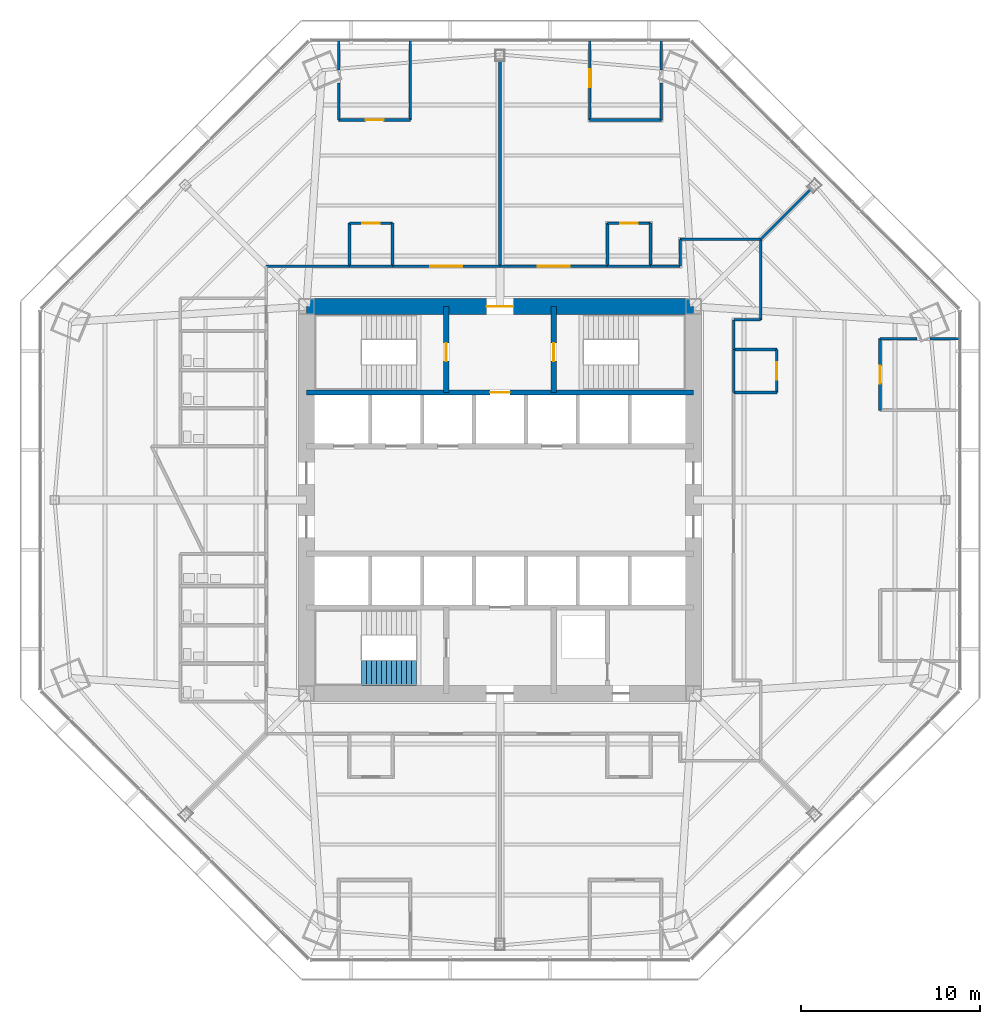
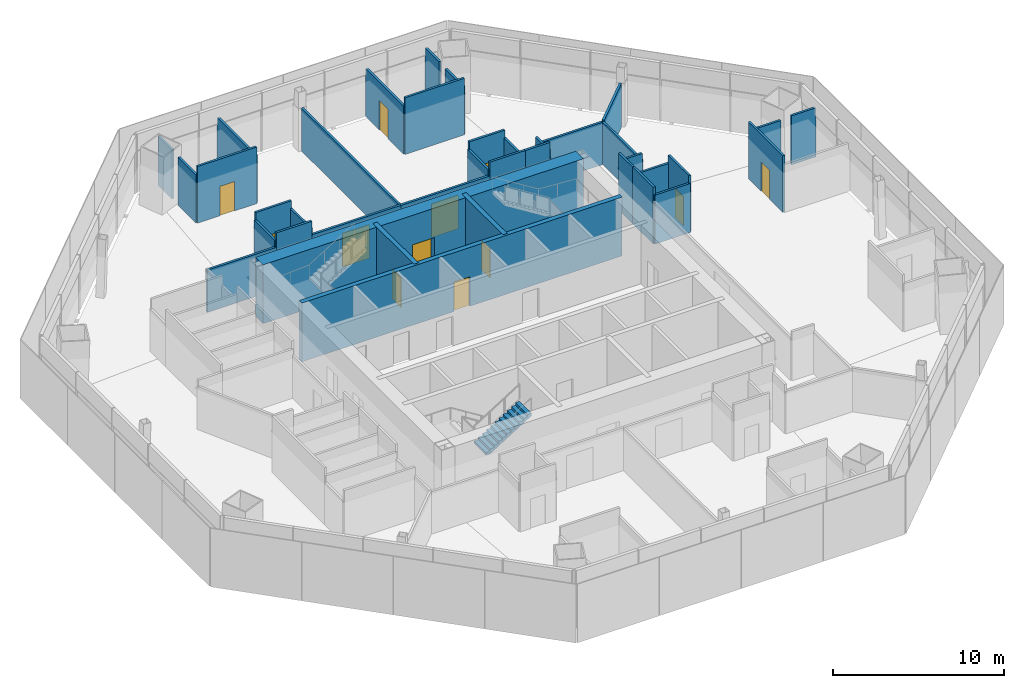
# One storey, part 13 of 18: 38 walls, 12 doors, 1 stair flight, 12 openings, 1 element without a shape of its own.
"""IFC4 building model written with IfcOpenShell, lengths in metres."""

from ifc_helpers import new_model, si_unit, direction, frame, frame_2d, origin, place, context, subcontext, project, spatial, polyline, rectangle, outline, extrude, material, layer, layer_set, type_object, element, fill, aggregate, save


model = new_model("IFC4")

# Units and contexts
model_context = context("Model", 3, precision=1e-05, world=origin(), true_north=direction((0.0, 1.0)))
body_context = subcontext(model_context, "Body", "Model", "MODEL_VIEW")
ifc_project = project(units=[si_unit("LENGTHUNIT", "METRE"), si_unit("AREAUNIT", "SQUARE_METRE"), si_unit("VOLUMEUNIT", "CUBIC_METRE"), si_unit("PLANEANGLEUNIT", "RADIAN"), si_unit("MASSUNIT", "GRAM", prefix="KILO")], contexts=[model_context])

# Site, building, storey
site_placement = place(None, origin())
site = spatial("IfcSite", under=ifc_project, at=site_placement, CompositionType="ELEMENT")
building_placement = place(site_placement, origin())
building = spatial("IfcBuilding", under=site, at=building_placement, Name="Mashrafa Tower", CompositionType="ELEMENT")
storey_placement = place(building_placement, frame((0.0, 0.0, 83.39990234375)))
storey = spatial("IfcBuildingStorey", under=building, at=storey_placement, Name="L18", CompositionType="ELEMENT", Elevation=83.39990234375)

# Wall, opening, door
ifc_material_1 = material(Name="Concrete C60/75", Category="concrete")
ifc_layer_1 = layer(ifc_material_1, 0.300048828125)
ifc_layer_set_1 = layer_set([ifc_layer_1], Name="Core wall 300 C60/75")
wall_type_1 = type_object("IfcWallType", Name="Core wall 300 C60/75", PredefinedType="SOLIDWALL", material=ifc_layer_set_1)
wall_1_placement = place(storey_placement, frame((-10.800048828125, 6.0, 0.0), z_axis=(0.0, 0.0, 1.0), x_axis=(1.0, 0.0, 0.0)))
wall_1 = element("IfcWall", 1, at=wall_1_placement, inside=storey, type_object=wall_type_1, Name="Core wall CB-N L18", PredefinedType="SOLIDWALL", context=body_context, shape_type="SweptSolid", body=[
    extrude(rectangle(XDim=21.60009765625, YDim=0.300048828125, at=frame_2d((10.800048828125, 0.0))), origin(), (0.0, 0.0, 1.0), 4.2001953125),
])
opening_1_placement = place(wall_1_placement, frame((10.25, 0.0, 0.0)))
opening_1 = element("IfcOpeningElement", 2, at=opening_1_placement, cuts=wall_1, Name="Opening 18.F1", PredefinedType="OPENING", context=body_context, shape_type="SweptSolid", body=[
    extrude(rectangle(XDim=1.10009765625, YDim=2.10009765625, at=frame_2d((0.550048828125, 1.050048828125))), frame((0.0, 0.159912109375, 0.0), z_axis=(0.0, -1.0, 0.0), x_axis=(1.0, 0.0, 0.0)), (0.0, 0.0, 1.0), 0.320068359375),
])
ifc_material_2 = material(Name="Steel door", Category="steel")
door_type_1 = type_object("IfcDoorType", Name="Lift landing door 1100 x 2100 90 min", OperationType="DOUBLE_DOOR_SLIDING", PredefinedType="DOOR", material=ifc_material_2)
door_1_placement = place(opening_1_placement, origin())
door_1 = element("IfcDoor", 3, at=door_1_placement, inside=storey, type_object=door_type_1, Name="Lift landing door F1 L18", OperationType="DOUBLE_DOOR_SLIDING", OverallHeight=2.10009765625, OverallWidth=1.10009765625, PredefinedType="DOOR", context=body_context, shape_type="SweptSolid", body=[
    extrude(rectangle(XDim=1.10009765625, YDim=2.10009765625, at=frame_2d((0.550048828125, 1.050048828125))), frame((0.0, 0.02490234375, 0.0), z_axis=(0.0, -1.0, 0.0), x_axis=(1.0, 0.0, 0.0)), (0.0, 0.0, 1.0), 0.050048828125),
])
fill(opening_1, door_1)

wall_2_placement = place(storey_placement, frame((-3.0, 6.0, 0.0), z_axis=(0.0, 0.0, 1.0), x_axis=(0.0, 1.0, 0.0)))
wall_2 = element("IfcWall", 4, at=wall_2_placement, inside=storey, type_object=wall_type_1, Name="Core wall CX-NW L18", PredefinedType="SOLIDWALL", context=body_context, shape_type="SweptSolid", body=[
    extrude(rectangle(XDim=4.800048828125, YDim=0.300048828125, at=frame_2d((2.39990234375, 0.0))), origin(), (0.0, 0.0, 1.0), 4.2001953125),
])
opening_2_placement = place(wall_2_placement, frame((1.75, 0.0, 0.0)))
opening_2 = element("IfcOpeningElement", 5, at=opening_2_placement, cuts=wall_2, Name="Opening 18.032", PredefinedType="OPENING", context=body_context, shape_type="SweptSolid", body=[
    extrude(rectangle(XDim=1.0, YDim=2.10009765625, at=frame_2d((0.5, 1.050048828125))), frame((0.0, 0.159912109375, 0.0), z_axis=(0.0, -1.0, 0.0), x_axis=(1.0, 0.0, 0.0)), (0.0, 0.0, 1.0), 0.320068359375),
])
ifc_material_3 = material(Name="Steel door", Category="steel")
door_type_2 = type_object("IfcDoorType", Name="Stair door 1000 x 2100 90 min", OperationType="USERDEFINED", PredefinedType="DOOR", material=ifc_material_3)
door_2_placement = place(opening_2_placement, origin())
door_2 = element("IfcDoor", 6, at=door_2_placement, inside=storey, type_object=door_type_2, Name="Stair S1 door L18", OperationType="SINGLE_SWING_LEFT", OverallHeight=2.10009765625, OverallWidth=1.0, PredefinedType="DOOR", context=body_context, shape_type="SweptSolid", body=[
    extrude(rectangle(XDim=1.0, YDim=2.10009765625, at=frame_2d((0.5, 1.050048828125))), frame((0.0, 0.02490234375, 0.0), z_axis=(0.0, -1.0, 0.0), x_axis=(1.0, 0.0, 0.0)), (0.0, 0.0, 1.0), 0.050048828125),
])
fill(opening_2, door_2)

wall_3_placement = place(storey_placement, frame((3.0, 6.0, 0.0), z_axis=(0.0, 0.0, 1.0), x_axis=(0.0, 1.0, 0.0)))
wall_3 = element("IfcWall", 7, at=wall_3_placement, inside=storey, type_object=wall_type_1, Name="Core wall CX-NE L18", PredefinedType="SOLIDWALL", context=body_context, shape_type="SweptSolid", body=[
    extrude(rectangle(XDim=4.800048828125, YDim=0.300048828125, at=frame_2d((2.39990234375, 0.0))), origin(), (0.0, 0.0, 1.0), 4.2001953125),
])
opening_3_placement = place(wall_3_placement, frame((1.75, 0.0, 0.0)))
opening_3 = element("IfcOpeningElement", 8, at=opening_3_placement, cuts=wall_3, Name="Opening 18.033", PredefinedType="OPENING", context=body_context, shape_type="SweptSolid", body=[
    extrude(rectangle(XDim=1.0, YDim=2.10009765625, at=frame_2d((0.5, 1.050048828125))), frame((0.0, 0.159912109375, 0.0), z_axis=(0.0, -1.0, 0.0), x_axis=(1.0, 0.0, 0.0)), (0.0, 0.0, 1.0), 0.320068359375),
])
door_3_placement = place(opening_3_placement, frame((1.0, 0.0, 0.0), z_axis=(0.0, 0.0, 1.0), x_axis=(-1.0, 0.0, 0.0)))
door_3 = element("IfcDoor", 9, at=door_3_placement, inside=storey, type_object=door_type_2, Name="Stair S2 door L18", OperationType="SINGLE_SWING_RIGHT", OverallHeight=2.10009765625, OverallWidth=1.0, PredefinedType="DOOR", context=body_context, shape_type="SweptSolid", body=[
    extrude(rectangle(XDim=1.0, YDim=2.10009765625, at=frame_2d((0.5, 1.050048828125))), frame((0.0, 0.02490234375, 0.0), z_axis=(0.0, -1.0, 0.0), x_axis=(1.0, 0.0, 0.0)), (0.0, 0.0, 1.0), 0.050048828125),
])
fill(opening_3, door_3)

ifc_material_4 = material(Name="Concrete C60/75", Category="concrete")
ifc_layer_2 = layer(ifc_material_4, 0.89990234375)
ifc_layer_set_2 = layer_set([ifc_layer_2], Name="Core wall 900 C60/75")
wall_type_2 = type_object("IfcWallType", Name="Core wall 900 C60/75", PredefinedType="SOLIDWALL", material=ifc_layer_set_2)
wall_4_placement = place(storey_placement, frame((10.800048828125, 10.800048828125, 0.0), z_axis=(0.0, 0.0, 1.0), x_axis=(-1.0, 0.0, 0.0)))
wall_4 = element("IfcWall", 10, at=wall_4_placement, inside=storey, type_object=wall_type_2, Name="Core wall CW-N L18", PredefinedType="SOLIDWALL", context=body_context, shape_type="SweptSolid", body=[
    extrude(rectangle(XDim=21.60009765625, YDim=0.89990234375, at=frame_2d((10.800048828125, 0.0))), origin(), (0.0, 0.0, 1.0), 4.2001953125),
])
opening_4_placement = place(wall_4_placement, frame((10.050048828125, 0.0, 0.0)))
opening_4 = element("IfcOpeningElement", 11, at=opening_4_placement, cuts=wall_4, Name="Opening 18.030", PredefinedType="OPENING", context=body_context, shape_type="SweptSolid", body=[
    extrude(rectangle(XDim=1.5, YDim=2.10009765625, at=frame_2d((0.75, 1.050048828125))), frame((0.0, 0.4599609375, 0.0), z_axis=(0.0, -1.0, 0.0), x_axis=(1.0, 0.0, 0.0)), (0.0, 0.0, 1.0), 0.919921875),
])
ifc_material_5 = material(Name="Steel door", Category="steel")
door_type_3 = type_object("IfcDoorType", Name="Lobby door pair 1500 x 2100 90 min", OperationType="DOUBLE_DOOR_SINGLE_SWING", PredefinedType="DOOR", material=ifc_material_5)
door_4_placement = place(opening_4_placement, origin())
door_4 = element("IfcDoor", 12, at=door_4_placement, inside=storey, type_object=door_type_3, Name="Fire-fighting lobby F1 door L18", OperationType="DOUBLE_DOOR_SINGLE_SWING", OverallHeight=2.10009765625, OverallWidth=1.5, PredefinedType="DOOR", context=body_context, shape_type="SweptSolid", body=[
    extrude(rectangle(XDim=1.5, YDim=2.10009765625, at=frame_2d((0.75, 1.050048828125))), frame((0.0, 0.02490234375, 0.0), z_axis=(0.0, -1.0, 0.0), x_axis=(1.0, 0.0, 0.0)), (0.0, 0.0, 1.0), 0.050048828125),
])
fill(opening_4, door_4)

# Walls
ifc_material_6 = material(Name="Gypsum board on steel studs", Category="steel")
ifc_layer_3 = layer(ifc_material_6, 0.14990234375)
ifc_layer_set_3 = layer_set([ifc_layer_3], Name="Corridor partition 150 1 hr")
wall_type_3 = type_object("IfcWallType", Name="Corridor partition 150 1 hr", PredefinedType="PARTITIONING", material=ifc_layer_set_3)
for number, where, z_axis, x_axis, name in (
    (13, (8.40087890625, 13.050048828125, 0.0), (0.0, 0.0, 1.0), (-1.0, 0.0, 0.0), "Corridor wall L18-010"),
    (14, (-5.9990234375, 13.050048828125, 0.0), (0.0, 0.0, 1.0), (-1.0, 0.0, 0.0), "Corridor wall L18-011"),
    (15, (13.050048828125, 5.9990234375, 0.0), (0.0, 0.0, 1.0), (0.0, 1.0, 0.0), "Corridor wall L18-012"),
):
    element("IfcWall", number, at=place(storey_placement, frame(where, z_axis=z_axis, x_axis=x_axis)), inside=storey, type_object=wall_type_3, Name=name, PredefinedType="PARTITIONING", context=body_context, shape_type="SweptSolid", body=[
        extrude(rectangle(XDim=2.40185546875, YDim=0.14990234375, at=frame_2d((1.200927734375, 0.0))), origin(), (0.0, 0.0, 1.0), 4.03515625),
    ])

# Wall, opening, door
wall_5_placement = place(storey_placement, frame((6.0009765625, 13.050048828125, 0.0), z_axis=(0.0, 0.0, 1.0), x_axis=(-1.0, 0.0, 0.0)))
wall_5 = element("IfcWall", 16, at=wall_5_placement, inside=storey, type_object=wall_type_3, Name="Corridor wall L18-015", PredefinedType="PARTITIONING", context=body_context, shape_type="SweptSolid", body=[
    extrude(rectangle(XDim=6.001953125, YDim=0.14990234375, at=frame_2d((3.0009765625, 0.0))), origin(), (0.0, 0.0, 1.0), 3.06494140625),
])
opening_5_placement = place(wall_5_placement, frame((2.10107421875, 0.0, 0.0)))
opening_5 = element("IfcOpeningElement", 17, at=opening_5_placement, cuts=wall_5, Name="Opening 18.021", PredefinedType="OPENING", context=body_context, shape_type="SweptSolid", body=[
    extrude(rectangle(XDim=1.800048828125, YDim=2.39990234375, at=frame_2d((0.89990234375, 1.199951171875))), frame((0.0, 0.0849609375, 0.0), z_axis=(0.0, -1.0, 0.0), x_axis=(1.0, 0.0, 0.0)), (0.0, 0.0, 1.0), 0.169921875),
])
ifc_material_7 = material(Name="Timber door", Category="wood")
door_type_4 = type_object("IfcDoorType", Name="Door pair 1800 x 2400", OperationType="DOUBLE_DOOR_SINGLE_SWING", PredefinedType="DOOR", material=ifc_material_7)
door_5_placement = place(opening_5_placement, frame((1.800048828125, 0.0, 0.0), z_axis=(0.0, 0.0, 1.0), x_axis=(-1.0, 0.0, 0.0)))
door_5 = element("IfcDoor", 18, at=door_5_placement, inside=storey, type_object=door_type_4, Name="Office Suite 18-NE door", OperationType="DOUBLE_DOOR_SINGLE_SWING", OverallHeight=2.39990234375, OverallWidth=1.800048828125, PredefinedType="DOOR", context=body_context, shape_type="SweptSolid", body=[
    extrude(rectangle(XDim=1.800048828125, YDim=2.39990234375, at=frame_2d((0.89990234375, 1.199951171875))), frame((0.0, 0.02490234375, 0.0), z_axis=(0.0, -1.0, 0.0), x_axis=(1.0, 0.0, 0.0)), (0.0, 0.0, 1.0), 0.050048828125),
])
fill(opening_5, door_5)

# Walls
wall_6_placement = place(storey_placement, frame((14.550048828125, 14.550048828125, 0.0), z_axis=(0.0, 0.0, 1.0), x_axis=(-1.0, 0.0, 0.0)))
element("IfcWall", 19, at=wall_6_placement, inside=storey, type_object=wall_type_3, Name="Corridor wall L18-016", PredefinedType="PARTITIONING", context=body_context, shape_type="SweptSolid", body=[
    extrude(rectangle(XDim=4.5, YDim=0.14990234375, at=frame_2d((2.25, 0.0))), origin(), (0.0, 0.0, 1.0), 3.01416015625),
])
wall_7_placement = place(storey_placement, frame((10.050048828125, 14.550048828125, 0.0), z_axis=(0.0, 0.0, 1.0), x_axis=(0.0, -1.0, 0.0)))
element("IfcWall", 20, at=wall_7_placement, inside=storey, type_object=wall_type_3, Name="Corridor wall L18-017", PredefinedType="PARTITIONING", context=body_context, shape_type="SweptSolid", body=[
    extrude(rectangle(XDim=1.5, YDim=0.14990234375, at=frame_2d((0.75, 0.0))), origin(), (0.0, 0.0, 1.0), 3.49169921875),
])
wall_8_placement = place(storey_placement, frame((10.050048828125, 13.050048828125, 0.0), z_axis=(0.0, 0.0, 1.0), x_axis=(-1.0, 0.0, 0.0)))
element("IfcWall", 21, at=wall_8_placement, inside=storey, type_object=wall_type_3, Name="Corridor wall L18-018", PredefinedType="PARTITIONING", context=body_context, shape_type="SweptSolid", body=[
    extrude(rectangle(XDim=1.651123046875, YDim=0.14990234375, at=frame_2d((0.82568359375, 0.0))), origin(), (0.0, 0.0, 1.0), 4.03515625),
])
wall_9_placement = place(storey_placement, frame((-8.39892578125, 13.050048828125, 0.0), z_axis=(0.0, 0.0, 1.0), x_axis=(-1.0, 0.0, 0.0)))
element("IfcWall", 22, at=wall_9_placement, inside=storey, type_object=wall_type_3, Name="Corridor wall L18-020", PredefinedType="PARTITIONING", context=body_context, shape_type="SweptSolid", body=[
    extrude(rectangle(XDim=4.651123046875, YDim=0.14990234375, at=frame_2d((2.32568359375, 0.0))), origin(), (0.0, 0.0, 1.0), 3.01416015625),
])

# Wall, opening, door
wall_10_placement = place(storey_placement, frame((0.0009765625, 13.050048828125, 0.0), z_axis=(0.0, 0.0, 1.0), x_axis=(-1.0, 0.0, 0.0)))
wall_10 = element("IfcWall", 23, at=wall_10_placement, inside=storey, type_object=wall_type_3, Name="Corridor wall L18-022", PredefinedType="PARTITIONING", context=body_context, shape_type="SweptSolid", body=[
    extrude(rectangle(XDim=6.001953125, YDim=0.14990234375, at=frame_2d((3.0009765625, 0.0))), origin(), (0.0, 0.0, 1.0), 3.06494140625),
])
opening_6_placement = place(wall_10_placement, frame((2.10107421875, 0.0, 0.0)))
opening_6 = element("IfcOpeningElement", 24, at=opening_6_placement, cuts=wall_10, Name="Opening 18.022", PredefinedType="OPENING", context=body_context, shape_type="SweptSolid", body=[
    extrude(rectangle(XDim=1.800048828125, YDim=2.39990234375, at=frame_2d((0.89990234375, 1.199951171875))), frame((0.0, 0.0849609375, 0.0), z_axis=(0.0, -1.0, 0.0), x_axis=(1.0, 0.0, 0.0)), (0.0, 0.0, 1.0), 0.169921875),
])
door_6_placement = place(opening_6_placement, frame((1.800048828125, 0.0, 0.0), z_axis=(0.0, 0.0, 1.0), x_axis=(-1.0, 0.0, 0.0)))
door_6 = element("IfcDoor", 25, at=door_6_placement, inside=storey, type_object=door_type_4, Name="Office Suite 18-NW door", OperationType="DOUBLE_DOOR_SINGLE_SWING", OverallHeight=2.39990234375, OverallWidth=1.800048828125, PredefinedType="DOOR", context=body_context, shape_type="SweptSolid", body=[
    extrude(rectangle(XDim=1.800048828125, YDim=2.39990234375, at=frame_2d((0.89990234375, 1.199951171875))), frame((0.0, 0.02490234375, 0.0), z_axis=(0.0, -1.0, 0.0), x_axis=(1.0, 0.0, 0.0)), (0.0, 0.0, 1.0), 0.050048828125),
])
fill(opening_6, door_6)

# Walls
wall_11_placement = place(storey_placement, frame((13.050048828125, 8.39892578125, 0.0), z_axis=(0.0, 0.0, 1.0), x_axis=(0.0, 1.0, 0.0)))
element("IfcWall", 26, at=wall_11_placement, inside=storey, type_object=wall_type_3, Name="Corridor wall L18-026", PredefinedType="PARTITIONING", context=body_context, shape_type="SweptSolid", body=[
    extrude(rectangle(XDim=1.651123046875, YDim=0.14990234375, at=frame_2d((0.82568359375, 0.0))), origin(), (0.0, 0.0, 1.0), 4.03515625),
])
wall_12_placement = place(storey_placement, frame((13.050048828125, 10.050048828125, 0.0), z_axis=(0.0, 0.0, 1.0), x_axis=(1.0, 0.0, 0.0)))
element("IfcWall", 27, at=wall_12_placement, inside=storey, type_object=wall_type_3, Name="Corridor wall L18-027", PredefinedType="PARTITIONING", context=body_context, shape_type="SweptSolid", body=[
    extrude(rectangle(XDim=1.5, YDim=0.14990234375, at=frame_2d((0.75, 0.0))), origin(), (0.0, 0.0, 1.0), 3.49169921875),
])
wall_13_placement = place(storey_placement, frame((14.550048828125, 10.050048828125, 0.0), z_axis=(0.0, 0.0, 1.0), x_axis=(0.0, 1.0, 0.0)))
element("IfcWall", 28, at=wall_13_placement, inside=storey, type_object=wall_type_3, Name="Corridor wall L18-028", PredefinedType="PARTITIONING", context=body_context, shape_type="SweptSolid", body=[
    extrude(rectangle(XDim=4.5, YDim=0.14990234375, at=frame_2d((2.25, 0.0))), origin(), (0.0, 0.0, 1.0), 3.01416015625),
])

# Wall, opening, door
ifc_material_8 = material(Name="Gypsum board on steel studs", Category="steel")
ifc_layer_4 = layer(ifc_material_8, 0.14990234375)
ifc_layer_set_4 = layer_set([ifc_layer_4], Name="Partition 150")
wall_type_4 = type_object("IfcWallType", Name="Partition 150", PredefinedType="PARTITIONING", material=ifc_layer_set_4)
wall_14_placement = place(storey_placement, frame((5.0, 25.639404296875, 0.0), z_axis=(0.0, 0.0, 1.0), x_axis=(0.0, -1.0, 0.0)))
wall_14 = element("IfcWall", 29, at=wall_14_placement, inside=storey, type_object=wall_type_4, Name="Partition wall L18-056", PredefinedType="PARTITIONING", context=body_context, shape_type="SweptSolid", body=[
    extrude(rectangle(XDim=4.43408203125, YDim=0.14990234375, at=frame_2d((2.217041015625, 0.0))), origin(), (0.0, 0.0, 1.0), 3.423095703125),
])
opening_7_placement = place(wall_14_placement, frame((1.59912109375, 0.0, 0.0)))
opening_7 = element("IfcOpeningElement", 30, at=opening_7_placement, cuts=wall_14, Name="Opening 18.010", PredefinedType="OPENING", context=body_context, shape_type="SweptSolid", body=[
    extrude(rectangle(XDim=1.0, YDim=2.10009765625, at=frame_2d((0.5, 1.050048828125))), frame((0.0, 0.0849609375, 0.0), z_axis=(0.0, -1.0, 0.0), x_axis=(1.0, 0.0, 0.0)), (0.0, 0.0, 1.0), 0.169921875),
])
ifc_material_9 = material(Name="Timber door", Category="wood")
door_type_5 = type_object("IfcDoorType", Name="Door 1000 x 2100", OperationType="USERDEFINED", PredefinedType="DOOR", material=ifc_material_9)
door_7_placement = place(opening_7_placement, origin())
door_7 = element("IfcDoor", 31, at=door_7_placement, inside=storey, type_object=door_type_5, Name="Manager's Office 18-NE door", OperationType="SINGLE_SWING_LEFT", OverallHeight=2.10009765625, OverallWidth=1.0, PredefinedType="DOOR", context=body_context, shape_type="SweptSolid", body=[
    extrude(rectangle(XDim=1.0, YDim=2.10009765625, at=frame_2d((0.5, 1.050048828125))), frame((0.0, 0.02490234375, 0.0), z_axis=(0.0, -1.0, 0.0), x_axis=(1.0, 0.0, 0.0)), (0.0, 0.0, 1.0), 0.050048828125),
])
fill(opening_7, door_7)

# Walls
wall_15_placement = place(storey_placement, frame((5.0, 21.205322265625, 0.0), z_axis=(0.0, 0.0, 1.0), x_axis=(1.0, 0.0, 0.0)))
element("IfcWall", 32, at=wall_15_placement, inside=storey, type_object=wall_type_4, Name="Partition wall L18-057", PredefinedType="PARTITIONING", context=body_context, shape_type="SweptSolid", body=[
    extrude(rectangle(XDim=4.0, YDim=0.14990234375, at=frame_2d((2.0, 0.0))), origin(), (0.0, 0.0, 1.0), 4.03515625),
])
wall_16_placement = place(storey_placement, frame((9.0, 21.205322265625, 0.0), z_axis=(0.0, 0.0, 1.0), x_axis=(0.0, 1.0, 0.0)))
element("IfcWall", 33, at=wall_16_placement, inside=storey, type_object=wall_type_4, Name="Partition wall L18-058", PredefinedType="PARTITIONING", context=body_context, shape_type="SweptSolid", body=[
    extrude(rectangle(XDim=2.07763671875, YDim=0.14990234375, at=frame_2d((1.038818359375, 0.0))), origin(), (0.0, 0.0, 1.0), 3.423095703125),
])
wall_17_placement = place(storey_placement, frame((9.0, 23.998779296875, 0.0), z_axis=(0.0, 0.0, 1.0), x_axis=(0.0, 1.0, 0.0)))
element("IfcWall", 34, at=wall_17_placement, inside=storey, type_object=wall_type_4, Name="Partition wall L18-059", PredefinedType="PARTITIONING", context=body_context, shape_type="SweptSolid", body=[
    extrude(rectangle(XDim=1.638671875, YDim=0.14990234375, at=frame_2d((0.8193359375, 0.0))), origin(), (0.0, 0.0, 1.0), 3.496826171875),
])
wall_18_placement = place(storey_placement, frame((8.39990234375, 13.050048828125, 0.0), z_axis=(0.0, 0.0, 1.0), x_axis=(0.0, 1.0, 0.0)))
element("IfcWall", 35, at=wall_18_placement, inside=storey, type_object=wall_type_4, Name="Partition wall L18-060", PredefinedType="PARTITIONING", context=body_context, shape_type="SweptSolid", body=[
    extrude(rectangle(XDim=2.39990234375, YDim=0.14990234375, at=frame_2d((1.199951171875, 0.0))), origin(), (0.0, 0.0, 1.0), 3.49169921875),
])

# Wall, opening, door
wall_19_placement = place(storey_placement, frame((8.39990234375, 15.449951171875, 0.0), z_axis=(0.0, 0.0, 1.0), x_axis=(-1.0, 0.0, 0.0)))
wall_19 = element("IfcWall", 36, at=wall_19_placement, inside=storey, type_object=wall_type_4, Name="Partition wall L18-061", PredefinedType="PARTITIONING", context=body_context, shape_type="SweptSolid", body=[
    extrude(rectangle(XDim=2.39990234375, YDim=0.14990234375, at=frame_2d((1.199951171875, 0.0))), origin(), (0.0, 0.0, 1.0), 4.03515625),
])
opening_8_placement = place(wall_19_placement, frame((0.699951171875, 0.0, 0.0)))
opening_8 = element("IfcOpeningElement", 37, at=opening_8_placement, cuts=wall_19, Name="Opening 18.011", PredefinedType="OPENING", context=body_context, shape_type="SweptSolid", body=[
    extrude(rectangle(XDim=1.0, YDim=2.10009765625, at=frame_2d((0.5, 1.050048828125))), frame((0.0, 0.0849609375, 0.0), z_axis=(0.0, -1.0, 0.0), x_axis=(1.0, 0.0, 0.0)), (0.0, 0.0, 1.0), 0.169921875),
])
door_8_placement = place(opening_8_placement, origin())
door_8 = element("IfcDoor", 38, at=door_8_placement, inside=storey, type_object=door_type_5, Name="Kitchenette 18-NE door", OperationType="SINGLE_SWING_LEFT", OverallHeight=2.10009765625, OverallWidth=1.0, PredefinedType="DOOR", context=body_context, shape_type="SweptSolid", body=[
    extrude(rectangle(XDim=1.0, YDim=2.10009765625, at=frame_2d((0.5, 1.050048828125))), frame((0.0, 0.02490234375, 0.0), z_axis=(0.0, -1.0, 0.0), x_axis=(1.0, 0.0, 0.0)), (0.0, 0.0, 1.0), 0.050048828125),
])
fill(opening_8, door_8)

# Walls
wall_20_placement = place(storey_placement, frame((6.0, 15.449951171875, 0.0), z_axis=(0.0, 0.0, 1.0), x_axis=(0.0, -1.0, 0.0)))
element("IfcWall", 39, at=wall_20_placement, inside=storey, type_object=wall_type_4, Name="Partition wall L18-062", PredefinedType="PARTITIONING", context=body_context, shape_type="SweptSolid", body=[
    extrude(rectangle(XDim=2.39990234375, YDim=0.14990234375, at=frame_2d((1.199951171875, 0.0))), origin(), (0.0, 0.0, 1.0), 3.49169921875),
])
wall_21_placement = place(storey_placement, frame((-9.0, 25.637451171875, 0.0), z_axis=(0.0, 0.0, 1.0), x_axis=(0.0, -1.0, 0.0)))
element("IfcWall", 40, at=wall_21_placement, inside=storey, type_object=wall_type_4, Name="Partition wall L18-063", PredefinedType="PARTITIONING", context=body_context, shape_type="SweptSolid", body=[
    extrude(rectangle(XDim=1.638671875, YDim=0.14990234375, at=frame_2d((0.8193359375, 0.0))), origin(), (0.0, 0.0, 1.0), 3.496826171875),
])
wall_22_placement = place(storey_placement, frame((-9.0, 23.282958984375, 0.0), z_axis=(0.0, 0.0, 1.0), x_axis=(0.0, -1.0, 0.0)))
element("IfcWall", 41, at=wall_22_placement, inside=storey, type_object=wall_type_4, Name="Partition wall L18-064", PredefinedType="PARTITIONING", context=body_context, shape_type="SweptSolid", body=[
    extrude(rectangle(XDim=2.07763671875, YDim=0.14990234375, at=frame_2d((1.038818359375, 0.0))), origin(), (0.0, 0.0, 1.0), 3.423095703125),
])

# Wall, opening, door
wall_23_placement = place(storey_placement, frame((-9.0, 21.205322265625, 0.0), z_axis=(0.0, 0.0, 1.0), x_axis=(1.0, 0.0, 0.0)))
wall_23 = element("IfcWall", 42, at=wall_23_placement, inside=storey, type_object=wall_type_4, Name="Partition wall L18-065", PredefinedType="PARTITIONING", context=body_context, shape_type="SweptSolid", body=[
    extrude(rectangle(XDim=4.0, YDim=0.14990234375, at=frame_2d((2.0, 0.0))), origin(), (0.0, 0.0, 1.0), 4.03515625),
])
opening_9_placement = place(wall_23_placement, frame((1.5, 0.0, 0.0)))
opening_9 = element("IfcOpeningElement", 43, at=opening_9_placement, cuts=wall_23, Name="Opening 18.012", PredefinedType="OPENING", context=body_context, shape_type="SweptSolid", body=[
    extrude(rectangle(XDim=1.0, YDim=2.10009765625, at=frame_2d((0.5, 1.050048828125))), frame((0.0, 0.0849609375, 0.0), z_axis=(0.0, -1.0, 0.0), x_axis=(1.0, 0.0, 0.0)), (0.0, 0.0, 1.0), 0.169921875),
])
door_9_placement = place(opening_9_placement, origin())
door_9 = element("IfcDoor", 44, at=door_9_placement, inside=storey, type_object=door_type_5, Name="Manager's Office 18-NW door", OperationType="SINGLE_SWING_LEFT", OverallHeight=2.10009765625, OverallWidth=1.0, PredefinedType="DOOR", context=body_context, shape_type="SweptSolid", body=[
    extrude(rectangle(XDim=1.0, YDim=2.10009765625, at=frame_2d((0.5, 1.050048828125))), frame((0.0, 0.02490234375, 0.0), z_axis=(0.0, -1.0, 0.0), x_axis=(1.0, 0.0, 0.0)), (0.0, 0.0, 1.0), 0.050048828125),
])
fill(opening_9, door_9)

# Walls
wall_24_placement = place(storey_placement, frame((-5.0, 21.205322265625, 0.0), z_axis=(0.0, 0.0, 1.0), x_axis=(0.0, 1.0, 0.0)))
element("IfcWall", 45, at=wall_24_placement, inside=storey, type_object=wall_type_4, Name="Partition wall L18-066", PredefinedType="PARTITIONING", context=body_context, shape_type="SweptSolid", body=[
    extrude(rectangle(XDim=4.43212890625, YDim=0.14990234375, at=frame_2d((2.216064453125, 0.0))), origin(), (0.0, 0.0, 1.0), 3.423095703125),
])
wall_25_placement = place(storey_placement, frame((-6.0, 13.050048828125, 0.0), z_axis=(0.0, 0.0, 1.0), x_axis=(0.0, 1.0, 0.0)))
element("IfcWall", 46, at=wall_25_placement, inside=storey, type_object=wall_type_4, Name="Partition wall L18-067", PredefinedType="PARTITIONING", context=body_context, shape_type="SweptSolid", body=[
    extrude(rectangle(XDim=2.39990234375, YDim=0.14990234375, at=frame_2d((1.199951171875, 0.0))), origin(), (0.0, 0.0, 1.0), 3.49169921875),
])

# Wall, opening, door
wall_26_placement = place(storey_placement, frame((-6.0, 15.449951171875, 0.0), z_axis=(0.0, 0.0, 1.0), x_axis=(-1.0, 0.0, 0.0)))
wall_26 = element("IfcWall", 47, at=wall_26_placement, inside=storey, type_object=wall_type_4, Name="Partition wall L18-068", PredefinedType="PARTITIONING", context=body_context, shape_type="SweptSolid", body=[
    extrude(rectangle(XDim=2.39990234375, YDim=0.14990234375, at=frame_2d((1.199951171875, 0.0))), origin(), (0.0, 0.0, 1.0), 4.03515625),
])
opening_10_placement = place(wall_26_placement, frame((0.699951171875, 0.0, 0.0)))
opening_10 = element("IfcOpeningElement", 48, at=opening_10_placement, cuts=wall_26, Name="Opening 18.013", PredefinedType="OPENING", context=body_context, shape_type="SweptSolid", body=[
    extrude(rectangle(XDim=1.0, YDim=2.10009765625, at=frame_2d((0.5, 1.050048828125))), frame((0.0, 0.0849609375, 0.0), z_axis=(0.0, -1.0, 0.0), x_axis=(1.0, 0.0, 0.0)), (0.0, 0.0, 1.0), 0.169921875),
])
door_10_placement = place(opening_10_placement, origin())
door_10 = element("IfcDoor", 49, at=door_10_placement, inside=storey, type_object=door_type_5, Name="Kitchenette 18-NW door", OperationType="SINGLE_SWING_LEFT", OverallHeight=2.10009765625, OverallWidth=1.0, PredefinedType="DOOR", context=body_context, shape_type="SweptSolid", body=[
    extrude(rectangle(XDim=1.0, YDim=2.10009765625, at=frame_2d((0.5, 1.050048828125))), frame((0.0, 0.02490234375, 0.0), z_axis=(0.0, -1.0, 0.0), x_axis=(1.0, 0.0, 0.0)), (0.0, 0.0, 1.0), 0.050048828125),
])
fill(opening_10, door_10)

# Walls
for number, where, z_axis, x_axis, name in (
    (50, (-8.39990234375, 15.449951171875, 0.0), (0.0, 0.0, 1.0), (0.0, -1.0, 0.0), "Partition wall L18-069"),
    (51, (13.050048828125, 6.0, 0.0), (0.0, 0.0, 1.0), (1.0, 0.0, 0.0), "Partition wall L18-074"),
):
    element("IfcWall", number, at=place(storey_placement, frame(where, z_axis=z_axis, x_axis=x_axis)), inside=storey, type_object=wall_type_4, Name=name, PredefinedType="PARTITIONING", context=body_context, shape_type="SweptSolid", body=[
        extrude(rectangle(XDim=2.39990234375, YDim=0.14990234375, at=frame_2d((1.199951171875, 0.0))), origin(), (0.0, 0.0, 1.0), 3.49169921875),
    ])

# Wall, opening, door
wall_27_placement = place(storey_placement, frame((15.449951171875, 6.0, 0.0), z_axis=(0.0, 0.0, 1.0), x_axis=(0.0, 1.0, 0.0)))
wall_27 = element("IfcWall", 52, at=wall_27_placement, inside=storey, type_object=wall_type_4, Name="Partition wall L18-075", PredefinedType="PARTITIONING", context=body_context, shape_type="SweptSolid", body=[
    extrude(rectangle(XDim=2.39990234375, YDim=0.14990234375, at=frame_2d((1.199951171875, 0.0))), origin(), (0.0, 0.0, 1.0), 4.03515625),
])
opening_11_placement = place(wall_27_placement, frame((0.699951171875, 0.0, 0.0)))
opening_11 = element("IfcOpeningElement", 53, at=opening_11_placement, cuts=wall_27, Name="Opening 18.015", PredefinedType="OPENING", context=body_context, shape_type="SweptSolid", body=[
    extrude(rectangle(XDim=1.0, YDim=2.10009765625, at=frame_2d((0.5, 1.050048828125))), frame((0.0, 0.0849609375, 0.0), z_axis=(0.0, -1.0, 0.0), x_axis=(1.0, 0.0, 0.0)), (0.0, 0.0, 1.0), 0.169921875),
])
door_11_placement = place(opening_11_placement, origin())
door_11 = element("IfcDoor", 54, at=door_11_placement, inside=storey, type_object=door_type_5, Name="Kitchenette 18-E door", OperationType="SINGLE_SWING_LEFT", OverallHeight=2.10009765625, OverallWidth=1.0, PredefinedType="DOOR", context=body_context, shape_type="SweptSolid", body=[
    extrude(rectangle(XDim=1.0, YDim=2.10009765625, at=frame_2d((0.5, 1.050048828125))), frame((0.0, 0.02490234375, 0.0), z_axis=(0.0, -1.0, 0.0), x_axis=(1.0, 0.0, 0.0)), (0.0, 0.0, 1.0), 0.050048828125),
])
fill(opening_11, door_11)

# Walls
wall_28_placement = place(storey_placement, frame((15.449951171875, 8.39990234375, 0.0), z_axis=(0.0, 0.0, 1.0), x_axis=(-1.0, 0.0, 0.0)))
element("IfcWall", 55, at=wall_28_placement, inside=storey, type_object=wall_type_4, Name="Partition wall L18-076", PredefinedType="PARTITIONING", context=body_context, shape_type="SweptSolid", body=[
    extrude(rectangle(XDim=2.39990234375, YDim=0.14990234375, at=frame_2d((1.199951171875, 0.0))), origin(), (0.0, 0.0, 1.0), 3.49169921875),
])
wall_29_placement = place(storey_placement, frame((25.637451171875, 9.0, 0.0), z_axis=(0.0, 0.0, 1.0), x_axis=(-1.0, 0.0, 0.0)))
element("IfcWall", 56, at=wall_29_placement, inside=storey, type_object=wall_type_4, Name="Partition wall L18-091", PredefinedType="PARTITIONING", context=body_context, shape_type="SweptSolid", body=[
    extrude(rectangle(XDim=1.638671875, YDim=0.14990234375, at=frame_2d((0.8193359375, 0.0))), origin(), (0.0, 0.0, 1.0), 3.496826171875),
])
wall_30_placement = place(storey_placement, frame((23.282958984375, 9.0, 0.0), z_axis=(0.0, 0.0, 1.0), x_axis=(-1.0, 0.0, 0.0)))
element("IfcWall", 57, at=wall_30_placement, inside=storey, type_object=wall_type_4, Name="Partition wall L18-092", PredefinedType="PARTITIONING", context=body_context, shape_type="SweptSolid", body=[
    extrude(rectangle(XDim=2.07763671875, YDim=0.14990234375, at=frame_2d((1.038818359375, 0.0))), origin(), (0.0, 0.0, 1.0), 3.423095703125),
])

# Wall, opening, door
wall_31_placement = place(storey_placement, frame((21.205322265625, 9.0, 0.0), z_axis=(0.0, 0.0, 1.0), x_axis=(0.0, -1.0, 0.0)))
wall_31 = element("IfcWall", 58, at=wall_31_placement, inside=storey, type_object=wall_type_4, Name="Partition wall L18-093", PredefinedType="PARTITIONING", context=body_context, shape_type="SweptSolid", body=[
    extrude(rectangle(XDim=4.0, YDim=0.14990234375, at=frame_2d((2.0, 0.0))), origin(), (0.0, 0.0, 1.0), 4.03515625),
])
opening_12_placement = place(wall_31_placement, frame((1.5, 0.0, 0.0)))
opening_12 = element("IfcOpeningElement", 59, at=opening_12_placement, cuts=wall_31, Name="Opening 18.020", PredefinedType="OPENING", context=body_context, shape_type="SweptSolid", body=[
    extrude(rectangle(XDim=1.0, YDim=2.10009765625, at=frame_2d((0.5, 1.050048828125))), frame((0.0, 0.0849609375, 0.0), z_axis=(0.0, -1.0, 0.0), x_axis=(1.0, 0.0, 0.0)), (0.0, 0.0, 1.0), 0.169921875),
])
door_12_placement = place(opening_12_placement, origin())
door_12 = element("IfcDoor", 60, at=door_12_placement, inside=storey, type_object=door_type_5, Name="Meeting Room 18-E door", OperationType="SINGLE_SWING_LEFT", OverallHeight=2.10009765625, OverallWidth=1.0, PredefinedType="DOOR", context=body_context, shape_type="SweptSolid", body=[
    extrude(rectangle(XDim=1.0, YDim=2.10009765625, at=frame_2d((0.5, 1.050048828125))), frame((0.0, 0.02490234375, 0.0), z_axis=(0.0, -1.0, 0.0), x_axis=(1.0, 0.0, 0.0)), (0.0, 0.0, 1.0), 0.050048828125),
])
fill(opening_12, door_12)

# Walls
wall_32_placement = place(storey_placement, frame((0.0, 24.467529296875, 0.0), z_axis=(0.0, 0.0, 1.0), x_axis=(0.0, -1.0, 0.0)))
element("IfcWall", 61, at=wall_32_placement, inside=storey, type_object=wall_type_4, Name="Partition wall L18-095", PredefinedType="PARTITIONING", context=body_context, shape_type="SweptSolid", body=[
    extrude(rectangle(XDim=11.41748046875, YDim=0.14990234375, at=frame_2d((5.708740234375, 0.0))), origin(), (0.0, 0.0, 1.0), 3.06494140625),
])
wall_33_placement = place(storey_placement, frame((14.550048828125, 14.550048828125, 0.0), z_axis=(0.0, 0.0, 1.0), x_axis=(0.707106781187, 0.707106781187, 0.0)))
element("IfcWall", 62, at=wall_33_placement, inside=storey, type_object=wall_type_4, Name="Partition wall L18-096", PredefinedType="PARTITIONING", context=body_context, shape_type="SweptSolid", body=[
    extrude(rectangle(XDim=3.890869140625, YDim=0.14990234375, at=frame_2d((1.9453125, 0.0))), origin(), (0.0, 0.0, 1.0), 3.11328125),
])

# Stair, stair flight
ifc_material_10 = material(Name="Exit stair 1400")
stair_type = type_object("IfcStairType", Name="Exit stair 1400", PredefinedType="HALF_TURN_STAIR", material=ifc_material_10)
stair_placement = place(storey_placement, origin())
stair = element("IfcStair", 63, at=stair_placement, inside=storey, type_object=stair_type, Name="Stair S3 L18", PredefinedType="HALF_TURN_STAIR")
ifc_material_11 = material(Name="Concrete C32/40", Category="concrete")
stair_flight_type = type_object("IfcStairFlightType", Name="Stair flight 1400", PredefinedType="STRAIGHT", material=ifc_material_11)
stair_flight_placement = place(storey_placement, frame((-7.72998046875, -9.64990234375, 2.10009765625), z_axis=(0.0, 0.0, 1.0), x_axis=(1.0, 0.0, 0.0)))
stair_flight = element("IfcStairFlight", 64, at=stair_flight_placement, type_object=stair_flight_type, Name="S3 flight 2", NumberOfRisers=12, NumberOfTreads=11, PredefinedType="STRAIGHT", RiserHeight=0.175, TreadLength=0.28, context=body_context, shape_type="SweptSolid", body=[
    extrude(outline(polyline([(0.0, 0.0), (0.0, 0.175048828125), (0.280029296875, 0.175048828125), (0.280029296875, 0.35009765625), (0.56005859375, 0.35009765625), (0.56005859375, 0.52490234375), (0.840087890625, 0.52490234375), (0.840087890625, 0.699951171875), (1.1201171875, 0.699951171875), (1.1201171875, 0.875), (1.39990234375, 0.875), (1.39990234375, 1.050048828125), (1.679931640625, 1.050048828125), (1.679931640625, 1.22509765625), (1.9599609375, 1.22509765625), (1.9599609375, 1.39990234375), (2.239990234375, 1.39990234375), (2.239990234375, 1.574951171875), (2.52001953125, 1.574951171875), (2.52001953125, 1.75), (2.800048828125, 1.75), (2.800048828125, 1.925048828125), (3.080078125, 1.925048828125), (3.080078125, 2.10009765625), (3.080078125, 1.748291015625), (0.28271484375, 0.0), (0.0, 0.0)])), frame((0.0, 0.699951171875, 0.0), z_axis=(0.0, -1.0, 0.0), x_axis=(1.0, 0.0, 0.0)), (0.0, 0.0, 1.0), 1.39990234375),
])
aggregate(stair, [stair_flight])

save(model, "model.ifc")
